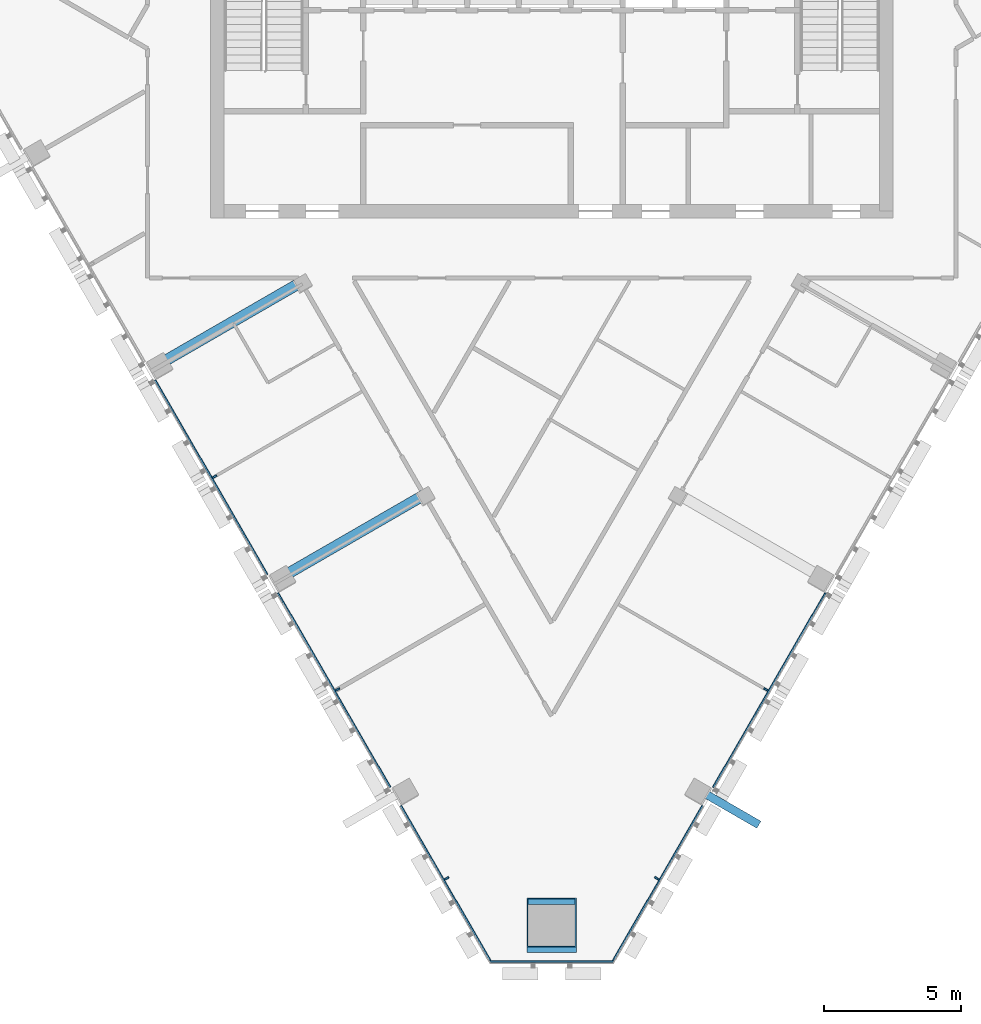
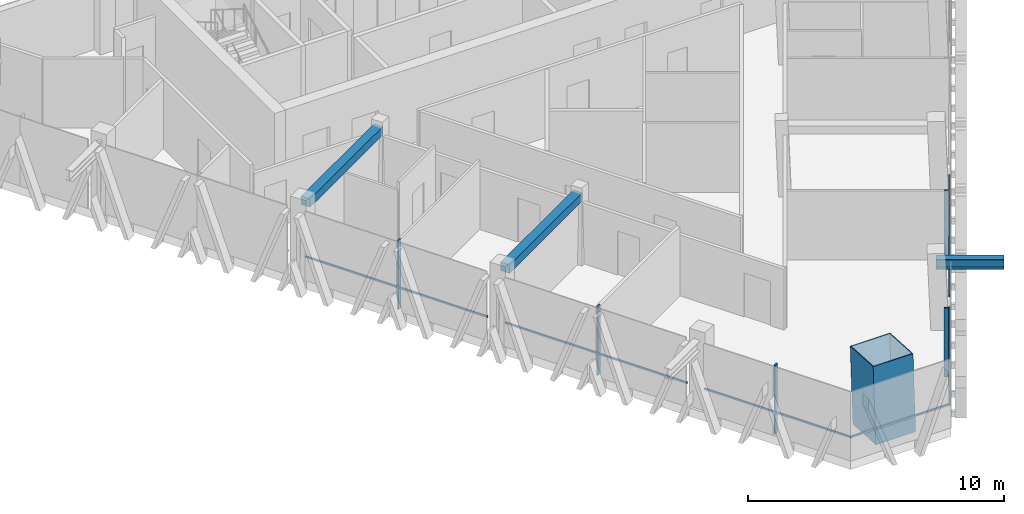
# One storey, part 2 of 12: 13 members, 2 beams, 3 elements without a shape of their own.
"""IFC4 building model written with IfcOpenShell, lengths in metres."""

from ifc_helpers import new_model, si_unit, direction, frame, origin, origin_2d, place, context, subcontext, project, spatial, rectangle, hollow_rectangle, i_section, extrude, material, layer, layer_set, material_profile, profile_set, type_object, element, aggregate, save


model = new_model("IFC4")

# Units and contexts
model_context = context("Model", 3, precision=1e-05, world=origin(), true_north=direction((0.0, 1.0)))
body_context = subcontext(model_context, "Body", "Model", "MODEL_VIEW")
ifc_project = project(units=[si_unit("LENGTHUNIT", "METRE"), si_unit("AREAUNIT", "SQUARE_METRE"), si_unit("VOLUMEUNIT", "CUBIC_METRE"), si_unit("PLANEANGLEUNIT", "RADIAN"), si_unit("MASSUNIT", "GRAM", prefix="KILO")], contexts=[model_context])

# Site, building, storey
site_placement = place(None, origin())
site = spatial("IfcSite", under=ifc_project, at=site_placement, CompositionType="ELEMENT")
building_placement = place(site_placement, origin())
building = spatial("IfcBuilding", under=site, at=building_placement, Name="Altiplano Prism Tower", CompositionType="ELEMENT")
storey_placement = place(building_placement, frame((0.0, 0.0, 282.39990234375)))
storey = spatial("IfcBuildingStorey", under=building, at=storey_placement, Name="L73", CompositionType="ELEMENT", Elevation=282.39990234375)

# Member
ifc_material_1 = material(Name="Steel S355", Category="steel")
ifc_material_profile_1 = material_profile(ifc_material_1, i_section(OverallWidth=0.300048828125, OverallDepth=0.5, WebThickness=0.014404296875, FlangeThickness=0.028076171875, FilletRadius=0.027099609375, at=origin_2d()), Name="Brace bracket HEB 500")
ifc_profile_set_1 = profile_set([ifc_material_profile_1], Name="Steel S355")
member_type_1 = type_object("IfcMemberType", Name="Brace bracket HEB 500", PredefinedType="STRUT", material=ifc_profile_set_1)
member_1_placement = place(storey_placement, frame((90.2919921875, 72.001220703125, 2.9501953125), z_axis=(0.866029095148, -0.499993606316, 0.0), x_axis=(0.499993606316, 0.866029095148, 0.0)))
element("IfcMember", 1, at=member_1_placement, inside=storey, type_object=member_type_1, Name="Brace bracket 2.286", PredefinedType="STRUT", context=body_context, shape_type="SweptSolid", body=[
    extrude(i_section(OverallWidth=0.300048828125, OverallDepth=0.5, WebThickness=0.014404296875, FlangeThickness=0.028076171875, FilletRadius=0.027099609375, at=origin_2d()), origin(), (0.0, 0.0, 1.0), 2.64990234375),
])

# Curtain wall, members
ifc_material_2 = material(Name="Aluminium and glass", Category="aluminium")
ifc_layer = layer(ifc_material_2, 0.280029296875)
ifc_layer_set = layer_set([ifc_layer], Name="Aluminium and glass")
curtain_wall_type = type_object("IfcCurtainWallType", Name="CW1 typical co-living unitised curtain wall", PredefinedType="NOTDEFINED", material=ifc_layer_set)
curtain_wall_1_placement = place(storey_placement, origin())
curtain_wall_1 = element("IfcCurtainWall", 2, at=curtain_wall_1_placement, inside=storey, type_object=curtain_wall_type, Name="CW1 curtain wall south-west face L73", PredefinedType="NOTDEFINED")
ifc_material_3 = material(Name="Aluminium", Category="aluminium")
ifc_material_profile_2 = material_profile(ifc_material_3, rectangle(XDim=0.179931640625, YDim=0.06494140625, at=origin_2d()), Name="CW1 mullion 65 x 180")
ifc_profile_set_2 = profile_set([ifc_material_profile_2], Name="Aluminium")
member_type_2 = type_object("IfcMemberType", Name="CW1 mullion 65 x 180", PredefinedType="MULLION", material=ifc_profile_set_2)
member_2_placement = place(storey_placement, frame((72.65283203125, 83.424072265625, 0.0), z_axis=(0.0, 0.0, 1.0), x_axis=(0.866025407982, 0.49999999273, 0.0)))
member_2 = element("IfcMember", 3, at=member_2_placement, type_object=member_type_2, Name="CW1 mullion", PredefinedType="MULLION", context=body_context, shape_type="SweptSolid", body=[
    extrude(rectangle(XDim=0.179931640625, YDim=0.06494140625, at=origin_2d()), origin(), (0.0, 0.0, 1.0), 3.300048828125),
])
member_3_placement = place(storey_placement, frame((77.15283203125, 75.6298828125, 0.0), z_axis=(0.0, 0.0, 1.0), x_axis=(0.866025407982, 0.49999999273, 0.0)))
member_3 = element("IfcMember", 4, at=member_3_placement, type_object=member_type_2, Name="CW1 mullion", PredefinedType="MULLION", context=body_context, shape_type="SweptSolid", body=[
    extrude(rectangle(XDim=0.179931640625, YDim=0.06494140625, at=origin_2d()), origin(), (0.0, 0.0, 1.0), 3.300048828125),
])
member_4_placement = place(storey_placement, frame((81.14892578125, 68.70849609375, 0.0), z_axis=(0.0, 0.0, 1.0), x_axis=(0.866025407982, 0.49999999273, 0.0)))
member_4 = element("IfcMember", 5, at=member_4_placement, type_object=member_type_2, Name="CW1 mullion", PredefinedType="MULLION", context=body_context, shape_type="SweptSolid", body=[
    extrude(rectangle(XDim=0.179931640625, YDim=0.06494140625, at=origin_2d()), origin(), (0.0, 0.0, 1.0), 3.300048828125),
])

curtain_wall_2_placement = place(storey_placement, origin())
curtain_wall_2 = element("IfcCurtainWall", 6, at=curtain_wall_2_placement, inside=storey, type_object=curtain_wall_type, Name="CW1 curtain wall south-east face L73", PredefinedType="NOTDEFINED")
member_5_placement = place(storey_placement, frame((88.85107421875, 68.70849609375, 0.0), z_axis=(0.0, 0.0, 1.0), x_axis=(-0.866025407982, 0.49999999273, 0.0)))
member_5 = element("IfcMember", 7, at=member_5_placement, type_object=member_type_2, Name="CW1 mullion", PredefinedType="MULLION", context=body_context, shape_type="SweptSolid", body=[
    extrude(rectangle(XDim=0.179931640625, YDim=0.06494140625, at=origin_2d()), origin(), (0.0, 0.0, 1.0), 3.300048828125),
])
member_6_placement = place(storey_placement, frame((92.84716796875, 75.6298828125, 0.0), z_axis=(0.0, 0.0, 1.0), x_axis=(-0.866025407982, 0.49999999273, 0.0)))
member_6 = element("IfcMember", 8, at=member_6_placement, type_object=member_type_2, Name="CW1 mullion", PredefinedType="MULLION", context=body_context, shape_type="SweptSolid", body=[
    extrude(rectangle(XDim=0.179931640625, YDim=0.06494140625, at=origin_2d()), origin(), (0.0, 0.0, 1.0), 3.300048828125),
])

# Member
ifc_material_profile_3 = material_profile(ifc_material_3, rectangle(XDim=0.06005859375, YDim=0.080078125, at=origin_2d()), Name="CW1 transom 80 x 60")
ifc_profile_set_3 = profile_set([ifc_material_profile_3], Name="Aluminium")
member_type_3 = type_object("IfcMemberType", Name="CW1 transom 80 x 60", PredefinedType="USERDEFINED", material=ifc_profile_set_3)
member_7_placement = place(storey_placement, frame((70.47412109375, 86.95751953125, 1.10009765625), z_axis=(0.500017276951, -0.866015428702, 0.0), x_axis=(0.866015428702, 0.500017276951, 0.0)))
member_7 = element("IfcMember", 9, at=member_7_placement, type_object=member_type_3, Name="CW1 transom", ObjectType="TRANSOM", PredefinedType="USERDEFINED", context=body_context, shape_type="SweptSolid", body=[
    extrude(rectangle(XDim=0.06005859375, YDim=0.080078125, at=origin_2d()), origin(), (0.0, 0.0, 1.0), 8.219482421875),
])

member_8_placement = place(storey_placement, frame((74.97412109375, 79.163330078125, 1.10009765625), z_axis=(0.500017276951, -0.866015428702, 0.0), x_axis=(0.866015428702, 0.500017276951, 0.0)))
member_8 = element("IfcMember", 10, at=member_8_placement, type_object=member_type_3, Name="CW1 transom", ObjectType="TRANSOM", PredefinedType="USERDEFINED", context=body_context, shape_type="SweptSolid", body=[
    extrude(rectangle(XDim=0.06005859375, YDim=0.080078125, at=origin_2d()), origin(), (0.0, 0.0, 1.0), 8.219482421875),
])

member_9_placement = place(storey_placement, frame((79.47412109375, 71.369140625, 1.10009765625), z_axis=(0.500026172365, -0.866010292635, 0.0), x_axis=(0.866010292635, 0.500026172365, 0.0)))
member_9 = element("IfcMember", 11, at=member_9_placement, type_object=member_type_3, Name="CW1 transom", ObjectType="TRANSOM", PredefinedType="USERDEFINED", context=body_context, shape_type="SweptSolid", body=[
    extrude(rectangle(XDim=0.06005859375, YDim=0.080078125, at=origin_2d()), origin(), (0.0, 0.0, 1.0), 6.633544921875),
])

aggregate(curtain_wall_1, [member_2, member_7, member_3, member_8, member_4, member_9])

# Curtain wall, member
curtain_wall_3_placement = place(storey_placement, origin())
curtain_wall_3 = element("IfcCurtainWall", 12, at=curtain_wall_3_placement, inside=storey, type_object=curtain_wall_type, Name="CW1 curtain wall south chamfer L73", PredefinedType="NOTDEFINED")
member_10_placement = place(storey_placement, frame((82.730224609375, 65.659423828125, 1.10009765625), z_axis=(1.0, 0.0, 0.0), x_axis=(0.0, 1.0, 0.0)))
member_10 = element("IfcMember", 13, at=member_10_placement, type_object=member_type_3, Name="CW1 transom", ObjectType="TRANSOM", PredefinedType="USERDEFINED", context=body_context, shape_type="SweptSolid", body=[
    extrude(rectangle(XDim=0.06005859375, YDim=0.080078125, at=origin_2d()), origin(), (0.0, 0.0, 1.0), 4.53955078125),
])
aggregate(curtain_wall_3, [member_10])

# Member
member_11_placement = place(storey_placement, frame((87.208984375, 65.62451171875, 1.10009765625), z_axis=(0.500026172365, 0.866010292635, 0.0), x_axis=(-0.866010292635, 0.500026172365, 0.0)))
member_11 = element("IfcMember", 14, at=member_11_placement, type_object=member_type_3, Name="CW1 transom", ObjectType="TRANSOM", PredefinedType="USERDEFINED", context=body_context, shape_type="SweptSolid", body=[
    extrude(rectangle(XDim=0.06005859375, YDim=0.080078125, at=origin_2d()), origin(), (0.0, 0.0, 1.0), 6.633544921875),
])

member_12_placement = place(storey_placement, frame((90.916015625, 72.045166015625, 1.10009765625), z_axis=(0.500017276951, 0.866015428702, 0.0), x_axis=(-0.866015428702, 0.500017276951, 0.0)))
member_12 = element("IfcMember", 15, at=member_12_placement, type_object=member_type_3, Name="CW1 transom", ObjectType="TRANSOM", PredefinedType="USERDEFINED", context=body_context, shape_type="SweptSolid", body=[
    extrude(rectangle(XDim=0.06005859375, YDim=0.080078125, at=origin_2d()), origin(), (0.0, 0.0, 1.0), 8.219482421875),
])

aggregate(curtain_wall_2, [member_5, member_11, member_6, member_12])

ifc_material_4 = material(Name="Steel S460", Category="steel")
ifc_material_profile_4 = material_profile(ifc_material_4, hollow_rectangle(XDim=1.800048828125, YDim=1.800048828125, WallThickness=0.0400390625, at=origin_2d()), Name="Mega column tube 1800")
ifc_profile_set_4 = profile_set([ifc_material_profile_4], Name="Steel S460")
member_type_4 = type_object("IfcMemberType", Name="Mega column tube 1800", PredefinedType="POST", material=ifc_profile_set_4)
member_13_placement = place(storey_placement, frame((85.0, 66.889404296875, 0.0), z_axis=(0.0, 0.058356907999, 0.998295783467), x_axis=(-1.0, 0.0, 0.0)))
element("IfcMember", 16, at=member_13_placement, inside=storey, type_object=member_type_4, Name="Mega column tube M1 L73", PredefinedType="POST", context=body_context, shape_type="SweptSolid", body=[
    extrude(hollow_rectangle(XDim=1.800048828125, YDim=1.800048828125, WallThickness=0.0400390625, at=origin_2d()), origin(), (0.0, 0.0, 1.0), 3.606201171875),
])

# Beams
ifc_material_5 = material(Name="Concrete C60/75", Category="concrete")
ifc_material_profile_5 = material_profile(ifc_material_5, rectangle(XDim=0.39990234375, YDim=0.39990234375, at=origin_2d()), Name="Tie beam 400x400")
ifc_profile_set_5 = profile_set([ifc_material_profile_5], Name="Concrete C60/75")
beam_type = type_object("IfcBeamType", Name="Tie beam 400x400", PredefinedType="BEAM", material=ifc_profile_set_5)
beam_1_placement = place(storey_placement, frame((75.8349609375, 90.5498046875, 3.10009765625), z_axis=(-0.866029822496, -0.499992346489, 0.0), x_axis=(0.499992346489, -0.866029822496, 0.0)))
element("IfcBeam", 17, at=beam_1_placement, inside=storey, type_object=beam_type, Name="Tie beam I12 L74", PredefinedType="BEAM", context=body_context, shape_type="SweptSolid", body=[
    extrude(rectangle(XDim=0.39990234375, YDim=0.39990234375, at=origin_2d()), origin(), (0.0, 0.0, 1.0), 5.68994140625),
])
beam_2_placement = place(storey_placement, frame((80.3349609375, 82.755615234375, 3.10009765625), z_axis=(-0.866011243319, -0.500024525844, 0.0), x_axis=(0.500024525844, -0.866011243319, 0.0)))
element("IfcBeam", 18, at=beam_2_placement, inside=storey, type_object=beam_type, Name="Tie beam I13 L74", PredefinedType="BEAM", context=body_context, shape_type="SweptSolid", body=[
    extrude(rectangle(XDim=0.39990234375, YDim=0.39990234375, at=origin_2d()), origin(), (0.0, 0.0, 1.0), 5.690185546875),
])

save(model, "model.ifc")
